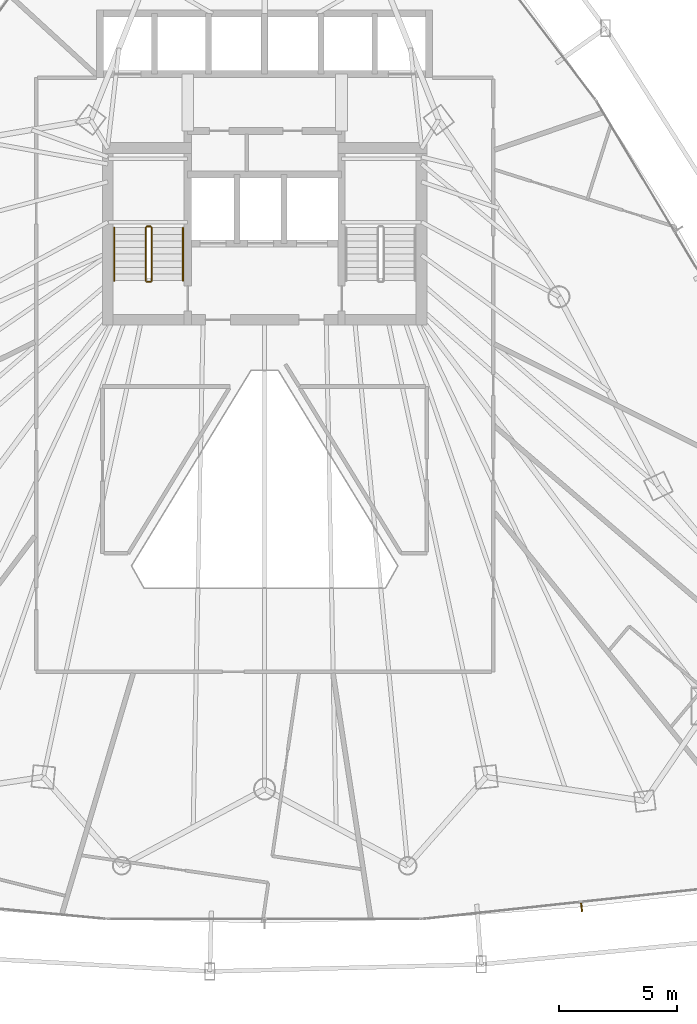
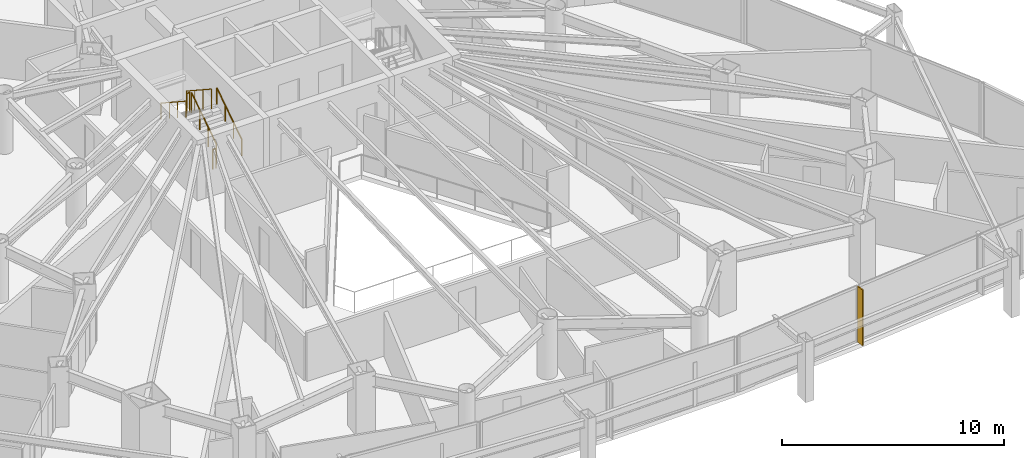
# One storey, part 33 of 35: 6 railings, 1 shading device.
"""IFC4 building model written with IfcOpenShell, lengths in metres."""

from ifc_helpers import new_model, si_unit, direction, frame, origin, origin_2d, place, context, subcontext, project, spatial, rectangle, circle, extrude, material, layer, layer_set, type_object, element, save


model = new_model("IFC4")

# Units and contexts
model_context = context("Model", 3, precision=1e-05, world=origin(), true_north=direction((0.0, 1.0)))
body_context = subcontext(model_context, "Body", "Model", "MODEL_VIEW")
ifc_project = project(units=[si_unit("LENGTHUNIT", "METRE"), si_unit("AREAUNIT", "SQUARE_METRE"), si_unit("VOLUMEUNIT", "CUBIC_METRE"), si_unit("PLANEANGLEUNIT", "RADIAN"), si_unit("MASSUNIT", "GRAM", prefix="KILO")], contexts=[model_context])

# Site, building, storey
site_placement = place(None, origin())
site = spatial("IfcSite", under=ifc_project, at=site_placement, CompositionType="ELEMENT")
building_placement = place(site_placement, origin())
building = spatial("IfcBuilding", under=site, at=building_placement, Name="Orvanel Arch Residences", CompositionType="ELEMENT")
storey_placement = place(building_placement, frame((0.0, 0.0, 33.5)))
storey = spatial("IfcBuildingStorey", under=building, at=storey_placement, Name="L08", CompositionType="ELEMENT", Elevation=33.5)

# Shading device
ifc_material_1 = material(Name="Bronze-anodised aluminium AA6063-T6", Category="aluminium")
ifc_layer = layer(ifc_material_1, 0.06005859375)
ifc_layer_set = layer_set([ifc_layer], Name="Bronze-anodised aluminium AA6063-T6")
shading_device_type = type_object("IfcShadingDeviceType", Name="FIN-BRZ-380", PredefinedType="USERDEFINED", material=ifc_layer_set)
shading_device_placement = place(storey_placement, frame((46.385986328125, 1.85888671875, 0.0), z_axis=(0.0, 0.0, 1.0), x_axis=(0.106264071336, -0.994337944133, 0.0)))
element("IfcShadingDevice", 1, at=shading_device_placement, inside=storey, type_object=shading_device_type, Name="L08 Anodised Bronze Mullion FIN 01", ObjectType="FIN", PredefinedType="USERDEFINED", context=body_context, shape_type="SweptSolid", body=[
    extrude(rectangle(XDim=0.3798828125, YDim=0.06005859375, at=origin_2d()), origin(), (0.0, 0.0, 1.0), 3.06005859375),
])

# Railings
ifc_material_2 = material(Name="Structural steel AS/NZS 1163 C350L0 (Grade 350)", Category="steel")
railing_type_1 = type_object("IfcRailingType", Name="RL-STAIR-GUARD", PredefinedType="GUARDRAIL", material=ifc_material_2)
railing_1_placement = place(storey_placement, frame((28.22998046875, 28.320068359375, 0.183349609375)))
element("IfcRailing", 2, at=railing_1_placement, inside=storey, type_object=railing_type_1, Name="L08 ST-1 stair guard 1", PredefinedType="GUARDRAIL", context=body_context, shape_type="SweptSolid", body=[
    extrude(circle(Radius=0.02392578125, at=origin_2d()), frame((0.0, 0.001220703125, 1.076904296875), z_axis=(0.0, 0.836636935527, 0.547757827979), x_axis=(-1.0, 0.0, 0.0)), (0.0, 0.0, 1.0), 2.67431640625),
    extrude(circle(Radius=0.02099609375, at=origin_2d()), origin(), (0.0, 0.0, 1.0), 1.050048828125),
    extrude(circle(Radius=0.02099609375, at=origin_2d()), frame((0.0, 0.74658203125, 0.48876953125)), (0.0, 0.0, 1.0), 1.050048828125),
    extrude(circle(Radius=0.02099609375, at=origin_2d()), frame((0.0, 1.493408203125, 0.977783203125)), (0.0, 0.0, 1.0), 1.050048828125),
    extrude(circle(Radius=0.02099609375, at=origin_2d()), frame((0.0, 2.239990234375, 1.466552734375)), (0.0, 0.0, 1.0), 1.050048828125),
])
railing_2_placement = place(storey_placement, frame((28.179931640625, 30.610107421875, 1.64990234375)))
element("IfcRailing", 3, at=railing_2_placement, inside=storey, type_object=railing_type_1, Name="L08 ST-1 stair guard 2", PredefinedType="GUARDRAIL", context=body_context, shape_type="SweptSolid", body=[
    extrude(circle(Radius=0.02392578125, at=origin_2d()), frame((-0.00146484375, 0.0, 1.076171875), z_axis=(-1.0, 0.0, 0.0), x_axis=(0.0, -1.0, 0.0)), (0.0, 0.0, 1.0), 0.156982421875),
    extrude(circle(Radius=0.02099609375, at=origin_2d()), origin(), (0.0, 0.0, 1.0), 1.050048828125),
    extrude(circle(Radius=0.02099609375, at=origin_2d()), frame((-0.159912109375, 0.0, 0.0)), (0.0, 0.0, 1.0), 1.050048828125),
])
railing_3_placement = place(storey_placement, frame((27.969970703125, 30.56005859375, 1.833251953125)))
element("IfcRailing", 4, at=railing_3_placement, inside=storey, type_object=railing_type_1, Name="L08 ST-1 stair guard 3", PredefinedType="GUARDRAIL", context=body_context, shape_type="SweptSolid", body=[
    extrude(circle(Radius=0.02392578125, at=origin_2d()), frame((0.0, -0.001220703125, 1.076904296875), z_axis=(0.0, -0.836595146698, 0.547821650285), x_axis=(1.0, 0.0, 0.0)), (0.0, 0.0, 1.0), 2.674560546875),
    extrude(circle(Radius=0.02099609375, at=origin_2d()), origin(), (0.0, 0.0, 1.0), 1.050048828125),
    extrude(circle(Radius=0.02099609375, at=origin_2d()), frame((0.0, -0.74658203125, 0.489013671875)), (0.0, 0.0, 1.0), 1.050048828125),
    extrude(circle(Radius=0.02099609375, at=origin_2d()), frame((0.0, -1.493408203125, 0.977783203125)), (0.0, 0.0, 1.0), 1.050048828125),
    extrude(circle(Radius=0.02099609375, at=origin_2d()), frame((0.0, -2.239990234375, 1.466796875)), (0.0, 0.0, 1.0), 1.050048828125),
])
railing_4_placement = place(storey_placement, frame((28.179931640625, 28.27001953125, 0.0)))
element("IfcRailing", 5, at=railing_4_placement, inside=storey, type_object=railing_type_1, Name="L08 ST-1 stair guard 4", PredefinedType="GUARDRAIL", context=body_context, shape_type="SweptSolid", body=[
    extrude(circle(Radius=0.02392578125, at=origin_2d()), frame((-0.00146484375, 0.0, 1.076171875), z_axis=(-1.0, 0.0, 0.0), x_axis=(0.0, -1.0, 0.0)), (0.0, 0.0, 1.0), 0.156982421875),
    extrude(circle(Radius=0.02099609375, at=origin_2d()), origin(), (0.0, 0.0, 1.0), 1.050048828125),
    extrude(circle(Radius=0.02099609375, at=origin_2d()), frame((-0.159912109375, 0.0, 0.0)), (0.0, 0.0, 1.0), 1.050048828125),
])
railing_type_2 = type_object("IfcRailingType", Name="RL-STAIR-HAND", PredefinedType="HANDRAIL", material=ifc_material_2)
railing_5_placement = place(storey_placement, frame((29.550048828125, 28.320068359375, 0.183349609375)))
element("IfcRailing", 6, at=railing_5_placement, inside=storey, type_object=railing_type_2, Name="L08 ST-1 stair handrail 1", PredefinedType="HANDRAIL", context=body_context, shape_type="SweptSolid", body=[
    extrude(circle(Radius=0.02392578125, at=origin_2d()), frame((0.0, 0.001220703125, 0.876708984375), z_axis=(0.0, 0.836636935527, 0.547757827979), x_axis=(-1.0, 0.0, 0.0)), (0.0, 0.0, 1.0), 2.67431640625),
    extrude(circle(Radius=0.02099609375, at=origin_2d()), origin(), (0.0, 0.0, 1.0), 0.849853515625),
    extrude(circle(Radius=0.02099609375, at=origin_2d()), frame((0.0, 0.74658203125, 0.48876953125)), (0.0, 0.0, 1.0), 0.849853515625),
    extrude(circle(Radius=0.02099609375, at=origin_2d()), frame((0.0, 1.493408203125, 0.977783203125)), (0.0, 0.0, 1.0), 0.849853515625),
    extrude(circle(Radius=0.02099609375, at=origin_2d()), frame((0.0, 2.239990234375, 1.466552734375)), (0.0, 0.0, 1.0), 0.849853515625),
])
railing_6_placement = place(storey_placement, frame((26.64990234375, 30.56005859375, 1.833251953125)))
element("IfcRailing", 7, at=railing_6_placement, inside=storey, type_object=railing_type_2, Name="L08 ST-1 stair handrail 2", PredefinedType="HANDRAIL", context=body_context, shape_type="SweptSolid", body=[
    extrude(circle(Radius=0.02392578125, at=origin_2d()), frame((0.0, -0.001220703125, 0.876708984375), z_axis=(0.0, -0.836595146698, 0.547821650285), x_axis=(1.0, 0.0, 0.0)), (0.0, 0.0, 1.0), 2.674560546875),
    extrude(circle(Radius=0.02099609375, at=origin_2d()), origin(), (0.0, 0.0, 1.0), 0.849853515625),
    extrude(circle(Radius=0.02099609375, at=origin_2d()), frame((0.0, -0.74658203125, 0.489013671875)), (0.0, 0.0, 1.0), 0.849853515625),
    extrude(circle(Radius=0.02099609375, at=origin_2d()), frame((0.0, -1.493408203125, 0.977783203125)), (0.0, 0.0, 1.0), 0.849853515625),
    extrude(circle(Radius=0.02099609375, at=origin_2d()), frame((0.0, -2.239990234375, 1.466796875)), (0.0, 0.0, 1.0), 0.849853515625),
])

save(model, "model.ifc")
